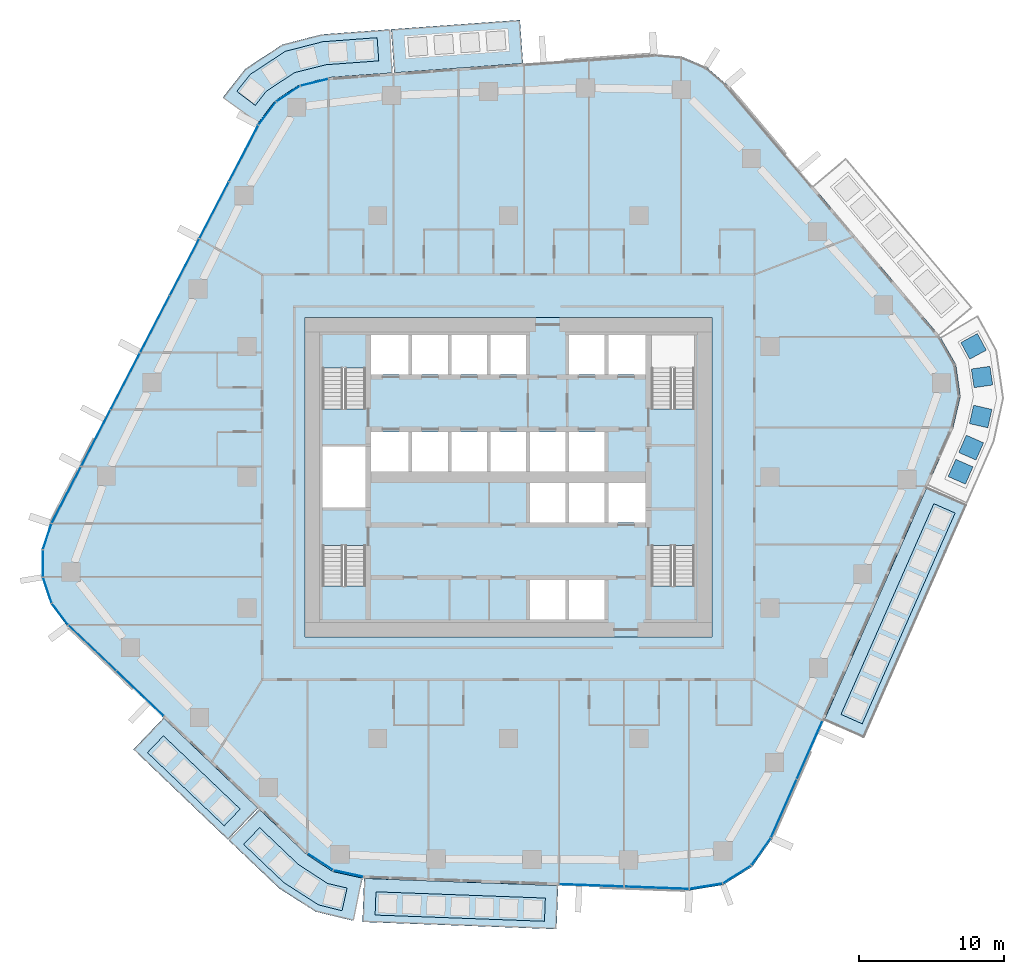
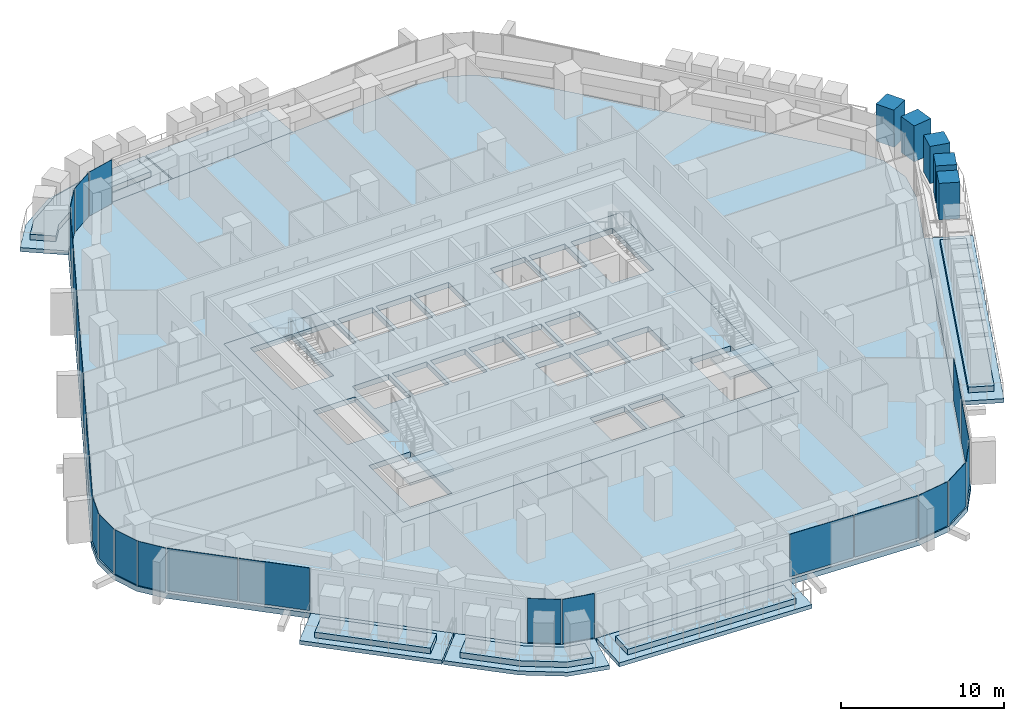
# One storey, part 10 of 24: 25 plates, 16 slabs, 5 members, 11 elements without a shape of their own.
"""IFC4 building model written with IfcOpenShell, lengths in metres."""

import ifcopenshell
import ifcopenshell.guid

model = None  # the IFC model being written
_history = None  # IfcOwnerHistory: only IFC2X3 demands one
_inside = {}  # id of a spatial element -> (the spatial element, [elements in it])
_under = {}  # id of a project, library or spatial element -> (it, [spatial elements below it])
_declared = {}  # id of a project -> (the project, [libraries it declares])
_typed = {}  # id of a type object -> (the type object, [elements of that type])
_made_of = {}  # id of a material, layer set ... -> (it, [elements and type objects made of it])


def new_model(schema):
    """Start an empty IFC model of exactly this schema.

    Asked for "IFC4X3", IfcOpenShell would pick the latest addendum, in which some entities
    have other attributes; the version numbers below select the first issue.
    IFC2X3 requires an IfcOwnerHistory on every rooted entity: one is made here for all.
    """
    global model, _history
    if schema == "IFC4X3":
        model = ifcopenshell.file(schema_version=(4, 3, 0, 0))
    else:
        model = ifcopenshell.file(schema=schema)
    _inside.clear()
    _under.clear()
    _declared.clear()
    _typed.clear()
    _made_of.clear()
    _history = None
    if model.schema == "IFC2X3":
        org = make("IfcOrganization", Name="unknown")
        user = make(
            "IfcPersonAndOrganization",
            ThePerson=make("IfcPerson", FamilyName="unknown"),
            TheOrganization=org,
        )
        app = make(
            "IfcApplication",
            ApplicationDeveloper=org,
            Version="unknown",
            ApplicationFullName="unknown",
            ApplicationIdentifier="unknown",
        )
        _history = make(
            "IfcOwnerHistory",
            OwningUser=user,
            OwningApplication=app,
            ChangeAction="ADDED",
            CreationDate=0,
        )
    return model


def make(cls, **values):
    """One entity of the class cls with the attributes given. An attribute that is None is left unset."""
    return model.create_entity(
        cls, **{name: value for name, value in values.items() if value is not None}
    )


def rooted(cls, **values):
    """An entity with a GlobalId (a new one), such as an element, a storey or a relation."""
    return make(cls, GlobalId=ifcopenshell.guid.new(), OwnerHistory=_history, **values)


def si_unit(unit_type, name, prefix=None):
    """IfcSIUnit, for example si_unit("LENGTHUNIT", "METRE", prefix="MILLI")."""
    return make("IfcSIUnit", UnitType=unit_type, Prefix=prefix, Name=name)


def assignment(units):
    """IfcUnitAssignment: the units of a project."""
    return None if units is None else make("IfcUnitAssignment", Units=units)


def point(xyz):
    """IfcCartesianPoint."""
    return None if xyz is None else make("IfcCartesianPoint", Coordinates=xyz)


def direction(xyz):
    """IfcDirection."""
    return None if xyz is None else make("IfcDirection", DirectionRatios=xyz)


def frame(location, z_axis=None, x_axis=None):
    """IfcAxis2Placement3D, a coordinate frame: its origin and axes. An axis left out is left unset."""
    return make(
        "IfcAxis2Placement3D",
        Location=point(location),
        Axis=direction(z_axis),
        RefDirection=direction(x_axis),
    )


def frame_2d(location, x_axis=None):
    """IfcAxis2Placement2D, a coordinate frame in the plane: its origin and x axis."""
    return make(
        "IfcAxis2Placement2D", Location=point(location), RefDirection=direction(x_axis)
    )


def origin():
    """The frame at (0, 0, 0) with its axes left unset."""
    return frame((0.0, 0.0, 0.0))


def origin_2d():
    """The frame at (0, 0) in the plane with its x axis left unset."""
    return frame_2d((0.0, 0.0))


def place(relative_to, where):
    """IfcLocalPlacement: puts the frame where relative to a parent placement (None: the world)."""
    return make(
        "IfcLocalPlacement", PlacementRelTo=relative_to, RelativePlacement=where
    )


def context(
    kind, dimensions, precision=None, world=None, true_north=None, identifier=None
):
    """IfcGeometricRepresentationContext, for example the 3D "Model" context."""
    return make(
        "IfcGeometricRepresentationContext",
        ContextIdentifier=identifier,
        ContextType=kind,
        CoordinateSpaceDimension=dimensions,
        Precision=precision,
        WorldCoordinateSystem=world,
        TrueNorth=true_north,
    )


def subcontext(parent, identifier, kind, view, scale=None):
    """IfcGeometricRepresentationSubContext, for example "Body" below "Model"."""
    return make(
        "IfcGeometricRepresentationSubContext",
        ContextIdentifier=identifier,
        ContextType=kind,
        ParentContext=parent,
        TargetScale=scale,
        TargetView=view,
    )


def project(units=None, contexts=None):
    """IfcProject with its units and contexts."""
    return rooted(
        "IfcProject",
        Name="project",
        RepresentationContexts=contexts,
        UnitsInContext=assignment(units),
    )


def spatial(cls, under=None, at=None, **own):
    """A site, building, storey or space (cls), placed at a placement, below another one or the project."""
    s = rooted(cls, ObjectPlacement=at, **own)
    if under is not None:
        _under.setdefault(under.id(), (under, []))[1].append(s)
    return s


def polyline(points):
    """IfcPolyline through the points."""
    return make("IfcPolyline", Points=[point(p) for p in points])


def profile(cls, at=None, kind="AREA", **sizes):
    """A parametric profile (cls). Its sizes go by their IFC names, for example OverallWidth=200.0."""
    return make(cls, ProfileType=kind, Position=at, **sizes)


def rectangle(**sizes):
    """IfcRectangleProfileDef."""
    return profile("IfcRectangleProfileDef", **sizes)


def outline(outer, holes=None, kind="AREA"):
    """IfcArbitraryClosedProfileDef: a profile drawn as a closed curve; with holes, ...WithVoids."""
    if holes is None:
        return make("IfcArbitraryClosedProfileDef", ProfileType=kind, OuterCurve=outer)
    return make(
        "IfcArbitraryProfileDefWithVoids",
        ProfileType=kind,
        OuterCurve=outer,
        InnerCurves=holes,
    )


def extrude(swept, where, along, depth):
    """IfcExtrudedAreaSolid: the profile swept, set in the frame where, extruded along a direction by depth."""
    return make(
        "IfcExtrudedAreaSolid",
        SweptArea=swept,
        Position=where,
        ExtrudedDirection=direction(along),
        Depth=depth,
    )


def shape(context_of_items, identifier, shape_type, items):
    """IfcShapeRepresentation: the items that make up one representation, for example the "Body"."""
    return make(
        "IfcShapeRepresentation",
        ContextOfItems=context_of_items,
        RepresentationIdentifier=identifier,
        RepresentationType=shape_type,
        Items=items,
    )


def material(Name=None, Category=None):
    """IfcMaterial."""
    return make("IfcMaterial", Name=Name, Category=Category)


def layer(
    of_material, thickness, ventilated=None, Name=None, Category=None, Priority=None
):
    """IfcMaterialLayer: one layer of a wall or slab, of a material (None: an air gap)."""
    return make(
        "IfcMaterialLayer",
        Material=of_material,
        LayerThickness=thickness,
        IsVentilated=ventilated,
        Name=Name,
        Category=Category,
        Priority=Priority,
    )


def layer_set(layers, Name=None):
    """IfcMaterialLayerSet."""
    return make("IfcMaterialLayerSet", MaterialLayers=layers, LayerSetName=Name)


def material_profile(
    of_material, cross_section, Name=None, Category=None, Priority=None
):
    """IfcMaterialProfile: a cross section and its material."""
    return make(
        "IfcMaterialProfile",
        Name=Name,
        Material=of_material,
        Profile=cross_section,
        Priority=Priority,
        Category=Category,
    )


def profile_set(profiles, Name=None, composite=None):
    """IfcMaterialProfileSet."""
    return make(
        "IfcMaterialProfileSet",
        Name=Name,
        MaterialProfiles=profiles,
        CompositeProfile=composite,
    )


def made_of(thing, what):
    """Note that an element or type object is made of a material, layer set ...; save() writes the relation."""
    if what is not None:
        _made_of.setdefault(what.id(), (what, []))[1].append(thing)
    return thing


def type_object(cls, material=None, **own):
    """A type object (cls), such as IfcWallType, which elements share."""
    return made_of(rooted(cls, **own), material)


def element(
    cls,
    number,
    at=None,
    inside=None,
    cuts=None,
    type_object=None,
    material=None,
    context=None,
    identifier="Body",
    shape_type=None,
    held_by="IfcProductDefinitionShape",
    body=None,
    shapes=None,
    **own,
):
    """One element of the class cls, such as IfcWall. Its Tag is "e" and its number.

    at: its placement. inside: the storey or other place that contains it. cuts: it is an
    opening in that element (IfcRelVoidsElement). A single representation is given by context,
    identifier, shape_type and body (its items); several are given by shapes. held_by: the class
    of the entity that holds the representations. save() writes the other relations.
    """
    e = rooted(cls, Tag="e%d" % number, ObjectPlacement=at, **own)
    if body is not None:
        shapes = [shape(context, identifier, shape_type, body)]
    if shapes is not None:
        e.Representation = make(held_by, Representations=shapes)
    if inside is not None:
        _inside.setdefault(inside.id(), (inside, []))[1].append(e)
    if cuts is not None:
        rooted(
            "IfcRelVoidsElement", RelatingBuildingElement=cuts, RelatedOpeningElement=e
        )
    if type_object is not None:
        _typed.setdefault(type_object.id(), (type_object, []))[1].append(e)
    return made_of(e, material)


def aggregate(whole, parts):
    """IfcRelAggregates: a whole, such as a stair, and the parts it consists of."""
    return rooted("IfcRelAggregates", RelatingObject=whole, RelatedObjects=parts)


def save(model, path):
    """Write the relations noted so far, then the file.

    IfcRelAggregates (storeys below a building ...), IfcRelContainedInSpatialStructure (elements
    in a storey), IfcRelDefinesByType, IfcRelAssociatesMaterial and IfcRelDeclares: one each for
    every whole, place, type object, material and project.
    """
    for whole, parts in _under.values():
        aggregate(whole, parts)
    for where, things in _inside.values():
        rooted(
            "IfcRelContainedInSpatialStructure",
            RelatedElements=things,
            RelatingStructure=where,
        )
    for kind, things in _typed.values():
        rooted("IfcRelDefinesByType", RelatedObjects=things, RelatingType=kind)
    for what, things in _made_of.values():
        rooted("IfcRelAssociatesMaterial", RelatedObjects=things, RelatingMaterial=what)
    for by, libraries in _declared.values():
        rooted("IfcRelDeclares", RelatingContext=by, RelatedDefinitions=libraries)
    model.write(path)


model = new_model("IFC4")

# Units and contexts
model_context = context("Model", 3, precision=1e-05, world=origin(), true_north=direction((0.0, 1.0)))
body_context = subcontext(model_context, "Body", "Model", "MODEL_VIEW")
ifc_project = project(units=[si_unit("LENGTHUNIT", "METRE"), si_unit("AREAUNIT", "SQUARE_METRE"), si_unit("VOLUMEUNIT", "CUBIC_METRE"), si_unit("PLANEANGLEUNIT", "RADIAN"), si_unit("MASSUNIT", "GRAM", prefix="KILO")], contexts=[model_context])

# Site, building, storey
site_placement = place(None, origin())
site = spatial("IfcSite", under=ifc_project, at=site_placement, CompositionType="ELEMENT")
building_placement = place(site_placement, origin())
building = spatial("IfcBuilding", under=site, at=building_placement, Name="Dongbaek Canopy Tower", CompositionType="ELEMENT")
storey_placement = place(building_placement, frame((0.0, 0.0, 110.0)))
storey = spatial("IfcBuildingStorey", under=building, at=storey_placement, Name="L23", CompositionType="ELEMENT", Elevation=110.0)

# Members
ifc_material_1 = material(Name="Concrete C40/50 planter mass with planting", Category="concrete")
ifc_material_profile = material_profile(ifc_material_1, rectangle(XDim=1.300048828125, YDim=1.300048828125, at=origin_2d()), Name="Terrace PLANTER shrub mass 1300 x 1300")
ifc_profile_set = profile_set([ifc_material_profile], Name="Concrete C40/50 planter mass with planting")
member_type = type_object("IfcMemberType", Name="Terrace PLANTER shrub mass 1300 x 1300", PredefinedType="USERDEFINED", material=ifc_profile_set)
member_1_placement = place(storey_placement, frame((31.132080078125, 0.374755859375, 0.419921875), z_axis=(0.0, 0.0, 1.0), x_axis=(0.915886374984, -0.401437601775, 0.0)))
element("IfcMember", 1, at=member_1_placement, inside=storey, type_object=member_type, Name="Planter shrubs L23 6.1", ObjectType="PLANTER", PredefinedType="USERDEFINED", context=body_context, shape_type="SweptSolid", body=[
    extrude(rectangle(XDim=1.300048828125, YDim=1.300048828125, at=origin_2d()), origin(), (0.0, 0.0, 1.0), 2.72998046875),
])
member_2_placement = place(storey_placement, frame((31.85888671875, 2.033203125, 0.419921875), z_axis=(0.0, 0.0, 1.0), x_axis=(0.915886374984, -0.401437601775, 0.0)))
element("IfcMember", 2, at=member_2_placement, inside=storey, type_object=member_type, Name="Planter shrubs L23 6.2", ObjectType="PLANTER", PredefinedType="USERDEFINED", context=body_context, shape_type="SweptSolid", body=[
    extrude(rectangle(XDim=1.300048828125, YDim=1.300048828125, at=origin_2d()), origin(), (0.0, 0.0, 1.0), 2.780029296875),
])
member_3_placement = place(storey_placement, frame((32.51708984375, 4.17578125, 0.419921875), z_axis=(0.0, 0.0, 1.0), x_axis=(0.975740218309, -0.21893155637, 0.0)))
element("IfcMember", 3, at=member_3_placement, inside=storey, type_object=member_type, Name="Planter shrubs L23 6.3", ObjectType="PLANTER", PredefinedType="USERDEFINED", context=body_context, shape_type="SweptSolid", body=[
    extrude(rectangle(XDim=1.300048828125, YDim=1.300048828125, at=origin_2d()), origin(), (0.0, 0.0, 1.0), 2.77001953125),
])
member_4_placement = place(storey_placement, frame((32.60791015625, 6.898681640625, 0.419921875), z_axis=(0.0, 0.0, 1.0), x_axis=(0.989700206201, 0.143155516293, 0.0)))
element("IfcMember", 4, at=member_4_placement, inside=storey, type_object=member_type, Name="Planter shrubs L23 6.4", ObjectType="PLANTER", PredefinedType="USERDEFINED", context=body_context, shape_type="SweptSolid", body=[
    extrude(rectangle(XDim=1.300048828125, YDim=1.300048828125, at=origin_2d()), origin(), (0.0, 0.0, 1.0), 2.690185546875),
])
member_5_placement = place(storey_placement, frame((32.025634765625, 9.004638671875, 0.419921875), z_axis=(0.0, 0.0, 1.0), x_axis=(0.878675212962, 0.477420014375, 0.0)))
element("IfcMember", 5, at=member_5_placement, inside=storey, type_object=member_type, Name="Planter shrubs L23 6.5", ObjectType="PLANTER", PredefinedType="USERDEFINED", context=body_context, shape_type="SweptSolid", body=[
    extrude(rectangle(XDim=1.300048828125, YDim=1.300048828125, at=origin_2d()), origin(), (0.0, 0.0, 1.0), 2.780029296875),
])

# Slabs
ifc_material_2 = material(Name="Concrete C40/50", Category="concrete")
ifc_layer_1 = layer(ifc_material_2, 0.300048828125)
ifc_layer_set_1 = layer_set([ifc_layer_1], Name="Balcony slab 300")
slab_type_1 = type_object("IfcSlabType", Name="Balcony slab 300", PredefinedType="FLOOR", material=ifc_layer_set_1)
slab_1_placement = place(storey_placement, frame((0.0, 0.0, -0.300048828125)))
element("IfcSlab", 6, at=slab_1_placement, inside=storey, type_object=slab_type_1, Name="Balcony L23 2", PredefinedType="FLOOR", context=body_context, shape_type="SweptSolid", body=[
    extrude(outline(polyline([(1.005859375, 28.485107421875), (-7.866455078125, 27.846923828125), (-8.081787109375, 30.839111328125), (0.790771484375, 31.477294921875), (1.005859375, 28.485107421875)])), origin(), (0.0, 0.0, 1.0), 0.300048828125),
])
slab_2_placement = place(storey_placement, frame((0.0, 0.0, -0.300048828125)))
element("IfcSlab", 7, at=slab_2_placement, inside=storey, type_object=slab_type_1, Name="Balcony L23 7", PredefinedType="FLOOR", context=body_context, shape_type="SweptSolid", body=[
    extrude(outline(polyline([(-7.96630859375, 27.839599609375), (-12.402587890625, 27.5205078125), (-14.37353515625, 27.034423828125), (-16.06982421875, 25.918701171875), (-17.2666015625, 24.341064453125), (-19.65673828125, 26.154296875), (-18.11865234375, 28.110107421875), (-15.574462890625, 29.78369140625), (-12.870849609375, 30.48388671875), (-8.181396484375, 30.83203125), (-7.96630859375, 27.839599609375)])), origin(), (0.0, 0.0, 1.0), 0.300048828125),
])
slab_3_placement = place(storey_placement, frame((0.0, 0.0, -0.300048828125)))
element("IfcSlab", 8, at=slab_3_placement, inside=storey, type_object=slab_type_1, Name="Balcony L23 3", PredefinedType="FLOOR", context=body_context, shape_type="SweptSolid", body=[
    extrude(outline(polyline([(-23.7509765625, -16.577392578125), (-17.238525390625, -22.794189453125), (-19.309814453125, -24.964111328125), (-25.822509765625, -18.74755859375), (-23.7509765625, -16.577392578125)])), origin(), (0.0, 0.0, 1.0), 0.300048828125),
])
slab_4_placement = place(storey_placement, frame((0.0, 0.0, -0.300048828125)))
element("IfcSlab", 9, at=slab_4_placement, inside=storey, type_object=slab_type_1, Name="Balcony L23 8", PredefinedType="FLOOR", context=body_context, shape_type="SweptSolid", body=[
    extrude(outline(polyline([(-17.166015625, -22.86328125), (-13.909912109375, -25.971435546875), (-12.100830078125, -27.158935546875), (-10.036865234375, -27.616455078125), (-10.686279296875, -30.54541015625), (-13.267578125, -29.922607421875), (-15.7763671875, -28.320068359375), (-19.237548828125, -25.033203125), (-17.166015625, -22.86328125)])), origin(), (0.0, 0.0, 1.0), 0.300048828125),
])
slab_5_placement = place(storey_placement, frame((0.0, 0.0, -0.300048828125)))
element("IfcSlab", 10, at=slab_5_placement, inside=storey, type_object=slab_type_1, Name="Balcony L23 4", PredefinedType="FLOOR", context=body_context, shape_type="SweptSolid", body=[
    extrude(outline(polyline([(-9.938232421875, -27.629150390625), (3.42236328125, -28.1220703125), (3.311767578125, -31.1201171875), (-10.048828125, -30.627197265625), (-9.938232421875, -27.629150390625)])), origin(), (0.0, 0.0, 1.0), 0.300048828125),
])
slab_6_placement = place(storey_placement, frame((0.0, 0.0, -0.300048828125)))
element("IfcSlab", 11, at=slab_6_placement, inside=storey, type_object=slab_type_1, Name="Balcony L23 5", PredefinedType="FLOOR", context=body_context, shape_type="SweptSolid", body=[
    extrude(outline(polyline([(21.73828125, -16.75439453125), (28.81884765625, -0.68798828125), (31.56396484375, -1.89794921875), (24.4833984375, -17.964111328125), (21.73828125, -16.75439453125)])), origin(), (0.0, 0.0, 1.0), 0.300048828125),
])

# Curtain wall, plates
ifc_material_3 = material(Name="Aluminium 6063-T6 pale anodised", Category="aluminium")
ifc_layer_2 = layer(ifc_material_3, 0.199951171875)
ifc_layer_set_2 = layer_set([ifc_layer_2], Name="CW-1 unitised tower curtain wall")
curtain_wall_type = type_object("IfcCurtainWallType", Name="CW-1 unitised tower curtain wall", PredefinedType="NOTDEFINED", material=ifc_layer_set_2)
curtain_wall_1_placement = place(storey_placement, origin())
curtain_wall_1 = element("IfcCurtainWall", 12, at=curtain_wall_1_placement, inside=storey, type_object=curtain_wall_type, Name="CW-1 curtain wall K2.1", PredefinedType="NOTDEFINED")
ifc_material_4 = material(Name="Clear laminated glass", Category="glass")
ifc_layer_3 = layer(ifc_material_4, 0.028076171875)
ifc_layer_set_3 = layer_set([ifc_layer_3], Name="CW-1 glazed panel 28")
plate_type = type_object("IfcPlateType", Name="CW-1 glazed panel 28", PredefinedType="CURTAIN_PANEL", material=ifc_layer_set_3)
plate_1_placement = place(storey_placement, frame((-13.35986328125, 27.181396484375, 0.0), z_axis=(0.0, 0.0, 1.0), x_axis=(-0.970907238878, -0.239455911379, 0.0)))
plate_1 = element("IfcPlate", 13, at=plate_1_placement, type_object=plate_type, Name="CW-1 panel K2.1.1.1", PredefinedType="CURTAIN_PANEL", context=body_context, shape_type="SweptSolid", body=[
    extrude(rectangle(XDim=1.92041015625, YDim=0.028076171875, at=origin_2d()), origin(), (0.0, 0.0, 1.0), 3.300048828125),
])
plate_2_placement = place(storey_placement, frame((-15.166748046875, 26.39306640625, 0.0), z_axis=(0.0, 0.0, 1.0), x_axis=(-0.835470843501, -0.54953477566, 0.0)))
plate_2 = element("IfcPlate", 14, at=plate_2_placement, type_object=plate_type, Name="CW-1 panel K2.1.2.1", PredefinedType="CURTAIN_PANEL", context=body_context, shape_type="SweptSolid", body=[
    extrude(rectangle(XDim=1.911865234375, YDim=0.028076171875, at=origin_2d()), origin(), (0.0, 0.0, 1.0), 3.300048828125),
])
plate_3_placement = place(storey_placement, frame((-16.606201171875, 25.046142578125, 0.0), z_axis=(0.0, 0.0, 1.0), x_axis=(-0.60437978776, -0.796696348772, 0.0)))
plate_3 = element("IfcPlate", 15, at=plate_3_placement, type_object=plate_type, Name="CW-1 panel K2.1.3.1", PredefinedType="CURTAIN_PANEL", context=body_context, shape_type="SweptSolid", body=[
    extrude(rectangle(XDim=1.92041015625, YDim=0.028076171875, at=origin_2d()), origin(), (0.0, 0.0, 1.0), 3.300048828125),
])
aggregate(curtain_wall_1, [plate_1, plate_2, plate_3])

curtain_wall_2_placement = place(storey_placement, origin())
curtain_wall_2 = element("IfcCurtainWall", 16, at=curtain_wall_2_placement, inside=storey, type_object=curtain_wall_type, Name="CW-1 curtain wall F2.1", PredefinedType="NOTDEFINED")
plate_4_placement = place(storey_placement, frame((-18.228271484375, 22.29052734375, 0.1201171875), z_axis=(0.0, 0.0, 1.0), x_axis=(-0.460879720641, -0.887462609411, 0.0)))
plate_4 = element("IfcPlate", 17, at=plate_4_placement, type_object=plate_type, Name="CW-1 panel F2.1.1.1", PredefinedType="CURTAIN_PANEL", context=body_context, shape_type="SweptSolid", body=[
    extrude(rectangle(XDim=4.32666015625, YDim=0.028076171875, at=origin_2d()), origin(), (0.0, 0.0, 1.0), 3.179931640625),
])
plate_5_placement = place(storey_placement, frame((-20.26318359375, 18.372314453125, 0.1201171875), z_axis=(0.0, 0.0, 1.0), x_axis=(-0.460879720641, -0.887462609411, 0.0)))
plate_5 = element("IfcPlate", 18, at=plate_5_placement, type_object=plate_type, Name="CW-1 panel F2.1.2.1", PredefinedType="CURTAIN_PANEL", context=body_context, shape_type="SweptSolid", body=[
    extrude(rectangle(XDim=4.335205078125, YDim=0.028076171875, at=origin_2d()), origin(), (0.0, 0.0, 1.0), 3.179931640625),
])
plate_6_placement = place(storey_placement, frame((-22.2998046875, 14.450439453125, 0.1201171875), z_axis=(0.0, 0.0, 1.0), x_axis=(-0.460879720641, -0.887462609411, 0.0)))
plate_6 = element("IfcPlate", 19, at=plate_6_placement, type_object=plate_type, Name="CW-1 panel F2.1.3.1", PredefinedType="CURTAIN_PANEL", context=body_context, shape_type="SweptSolid", body=[
    extrude(rectangle(XDim=4.335205078125, YDim=0.028076171875, at=origin_2d()), origin(), (0.0, 0.0, 1.0), 3.179931640625),
])
plate_7_placement = place(storey_placement, frame((-24.336669921875, 10.528564453125, 0.1201171875), z_axis=(0.0, 0.0, 1.0), x_axis=(-0.460879720641, -0.887462609411, 0.0)))
plate_7 = element("IfcPlate", 20, at=plate_7_placement, type_object=plate_type, Name="CW-1 panel F2.1.4.1", PredefinedType="CURTAIN_PANEL", context=body_context, shape_type="SweptSolid", body=[
    extrude(rectangle(XDim=4.335205078125, YDim=0.028076171875, at=origin_2d()), origin(), (0.0, 0.0, 1.0), 3.179931640625),
])
plate_8_placement = place(storey_placement, frame((-26.373291015625, 6.606689453125, 0.1201171875), z_axis=(0.0, 0.0, 1.0), x_axis=(-0.460879720641, -0.887462609411, 0.0)))
plate_8 = element("IfcPlate", 21, at=plate_8_placement, type_object=plate_type, Name="CW-1 panel F2.1.5.1", PredefinedType="CURTAIN_PANEL", context=body_context, shape_type="SweptSolid", body=[
    extrude(rectangle(XDim=4.335205078125, YDim=0.028076171875, at=origin_2d()), origin(), (0.0, 0.0, 1.0), 3.179931640625),
])
plate_9_placement = place(storey_placement, frame((-28.41015625, 2.684814453125, 0.1201171875), z_axis=(0.0, 0.0, 1.0), x_axis=(-0.460879720641, -0.887462609411, 0.0)))
plate_9 = element("IfcPlate", 22, at=plate_9_placement, type_object=plate_type, Name="CW-1 panel F2.1.6.1", PredefinedType="CURTAIN_PANEL", context=body_context, shape_type="SweptSolid", body=[
    extrude(rectangle(XDim=4.335205078125, YDim=0.028076171875, at=origin_2d()), origin(), (0.0, 0.0, 1.0), 3.179931640625),
])
plate_10_placement = place(storey_placement, frame((-30.44482421875, -1.2333984375, 0.1201171875), z_axis=(0.0, 0.0, 1.0), x_axis=(-0.460879720641, -0.887462609411, 0.0)))
plate_10 = element("IfcPlate", 23, at=plate_10_placement, type_object=plate_type, Name="CW-1 panel F2.1.7.1", PredefinedType="CURTAIN_PANEL", context=body_context, shape_type="SweptSolid", body=[
    extrude(rectangle(XDim=4.3271484375, YDim=0.028076171875, at=origin_2d()), origin(), (0.0, 0.0, 1.0), 3.179931640625),
])
aggregate(curtain_wall_2, [plate_4, plate_5, plate_6, plate_7, plate_8, plate_9, plate_10])

curtain_wall_3_placement = place(storey_placement, origin())
curtain_wall_3 = element("IfcCurtainWall", 24, at=curtain_wall_3_placement, inside=storey, type_object=curtain_wall_type, Name="CW-1 curtain wall K3.1", PredefinedType="NOTDEFINED")
plate_11_placement = place(storey_placement, frame((-31.75830078125, -4.0927734375, 0.0), z_axis=(0.0, 0.0, 1.0), x_axis=(-0.31269869536, -0.949852370593, 0.0)))
plate_11 = element("IfcPlate", 25, at=plate_11_placement, type_object=plate_type, Name="CW-1 panel K3.1.1.1", PredefinedType="CURTAIN_PANEL", context=body_context, shape_type="SweptSolid", body=[
    extrude(rectangle(XDim=1.814697265625, YDim=0.028076171875, at=origin_2d()), origin(), (0.0, 0.0, 1.0), 3.300048828125),
])
plate_12_placement = place(storey_placement, frame((-32.051513671875, -5.939697265625, 0.0), z_axis=(0.0, 0.0, 1.0), x_axis=(0.003873783475, -0.999992496873, 0.0)))
plate_12 = element("IfcPlate", 26, at=plate_12_placement, type_object=plate_type, Name="CW-1 panel K3.1.2.1", PredefinedType="CURTAIN_PANEL", context=body_context, shape_type="SweptSolid", body=[
    extrude(rectangle(XDim=1.806640625, YDim=0.028076171875, at=origin_2d()), origin(), (0.0, 0.0, 1.0), 3.300048828125),
])
plate_13_placement = place(storey_placement, frame((-31.745361328125, -7.78076171875, 0.0), z_axis=(0.0, 0.0, 1.0), x_axis=(0.320048300125, -0.947401227352, 0.0)))
plate_13 = element("IfcPlate", 27, at=plate_13_placement, type_object=plate_type, Name="CW-1 panel K3.1.3.1", PredefinedType="CURTAIN_PANEL", context=body_context, shape_type="SweptSolid", body=[
    extrude(rectangle(XDim=1.806640625, YDim=0.028076171875, at=origin_2d()), origin(), (0.0, 0.0, 1.0), 3.300048828125),
])
plate_14_placement = place(storey_placement, frame((-30.869873046875, -9.433349609375, 0.0), z_axis=(0.0, 0.0, 1.0), x_axis=(0.603343561483, -0.797481377097, 0.0)))
plate_14 = element("IfcPlate", 28, at=plate_14_placement, type_object=plate_type, Name="CW-1 panel K3.1.4.1", PredefinedType="CURTAIN_PANEL", context=body_context, shape_type="SweptSolid", body=[
    extrude(rectangle(XDim=1.814697265625, YDim=0.028076171875, at=origin_2d()), origin(), (0.0, 0.0, 1.0), 3.300048828125),
])
aggregate(curtain_wall_3, [plate_11, plate_12, plate_13, plate_14])

curtain_wall_4_placement = place(storey_placement, origin())
curtain_wall_4 = element("IfcCurtainWall", 29, at=curtain_wall_4_placement, inside=storey, type_object=curtain_wall_type, Name="CW-1 curtain wall F3.1", PredefinedType="NOTDEFINED")
plate_15_placement = place(storey_placement, frame((-28.65380859375, -11.75927734375, 0.1201171875), z_axis=(0.0, 0.0, 1.0), x_axis=(0.723349119541, -0.690482477156, 0.0)))
plate_15 = element("IfcPlate", 30, at=plate_15_placement, type_object=plate_type, Name="CW-1 panel F3.1.1.1", PredefinedType="CURTAIN_PANEL", context=body_context, shape_type="SweptSolid", body=[
    extrude(rectangle(XDim=4.459716796875, YDim=0.028076171875, at=origin_2d()), origin(), (0.0, 0.0, 1.0), 3.179931640625),
])
plate_16_placement = place(storey_placement, frame((-25.3642578125, -14.899169921875, 0.1201171875), z_axis=(0.0, 0.0, 1.0), x_axis=(0.723349119541, -0.690482477156, 0.0)))
plate_16 = element("IfcPlate", 31, at=plate_16_placement, type_object=plate_type, Name="CW-1 panel F3.1.2.1", PredefinedType="CURTAIN_PANEL", context=body_context, shape_type="SweptSolid", body=[
    extrude(rectangle(XDim=4.4677734375, YDim=0.028076171875, at=origin_2d()), origin(), (0.0, 0.0, 1.0), 3.179931640625),
])
aggregate(curtain_wall_4, [plate_15, plate_16])

curtain_wall_5_placement = place(storey_placement, origin())
curtain_wall_5 = element("IfcCurtainWall", 32, at=curtain_wall_5_placement, inside=storey, type_object=curtain_wall_type, Name="CW-1 curtain wall K4.1", PredefinedType="NOTDEFINED")
plate_17_placement = place(storey_placement, frame((-12.954345703125, -26.47900390625, 0.0), z_axis=(0.0, 0.0, 1.0), x_axis=(0.836003585716, -0.548723978581, 0.0)))
plate_17 = element("IfcPlate", 33, at=plate_17_placement, type_object=plate_type, Name="CW-1 panel K4.1.1.1", PredefinedType="CURTAIN_PANEL", context=body_context, shape_type="SweptSolid", body=[
    extrude(rectangle(XDim=2.052490234375, YDim=0.028076171875, at=origin_2d()), origin(), (0.0, 0.0, 1.0), 3.300048828125),
])
plate_18_placement = place(storey_placement, frame((-11.018310546875, -27.29638671875, 0.0), z_axis=(0.0, 0.0, 1.0), x_axis=(0.976288741887, -0.216472382683, 0.0)))
plate_18 = element("IfcPlate", 34, at=plate_18_placement, type_object=plate_type, Name="CW-1 panel K4.1.2.1", PredefinedType="CURTAIN_PANEL", context=body_context, shape_type="SweptSolid", body=[
    extrude(rectangle(XDim=2.052490234375, YDim=0.028076171875, at=origin_2d()), origin(), (0.0, 0.0, 1.0), 3.300048828125),
])
aggregate(curtain_wall_5, [plate_17, plate_18])

curtain_wall_6_placement = place(storey_placement, origin())
curtain_wall_6 = element("IfcCurtainWall", 35, at=curtain_wall_6_placement, inside=storey, type_object=curtain_wall_type, Name="CW-1 curtain wall F4.1", PredefinedType="NOTDEFINED")
plate_19_placement = place(storey_placement, frame((5.71923828125, -28.10693359375, 0.1201171875), z_axis=(0.0, 0.0, 1.0), x_axis=(0.99931997253, -0.036872652499, 0.0)))
plate_19 = element("IfcPlate", 36, at=plate_19_placement, type_object=plate_type, Name="CW-1 panel F4.1.1.1", PredefinedType="CURTAIN_PANEL", context=body_context, shape_type="SweptSolid", body=[
    extrude(rectangle(XDim=4.40576171875, YDim=0.028076171875, at=origin_2d()), origin(), (0.0, 0.0, 1.0), 3.179931640625),
])
plate_20_placement = place(storey_placement, frame((10.201171875, -28.272216796875, 0.1201171875), z_axis=(0.0, 0.0, 1.0), x_axis=(0.99931997253, -0.036872652499, 0.0)))
plate_20 = element("IfcPlate", 37, at=plate_20_placement, type_object=plate_type, Name="CW-1 panel F4.1.2.1", PredefinedType="CURTAIN_PANEL", context=body_context, shape_type="SweptSolid", body=[
    extrude(rectangle(XDim=4.39599609375, YDim=0.028076171875, at=origin_2d()), origin(), (0.0, 0.0, 1.0), 3.179931640625),
])
aggregate(curtain_wall_6, [plate_19, plate_20])

curtain_wall_7_placement = place(storey_placement, origin())
curtain_wall_7 = element("IfcCurtainWall", 38, at=curtain_wall_7_placement, inside=storey, type_object=curtain_wall_type, Name="CW-1 curtain wall K5.1", PredefinedType="NOTDEFINED")
plate_21_placement = place(storey_placement, frame((13.593994140625, -28.166259765625, 0.0), z_axis=(0.0, 0.0, 1.0), x_axis=(0.986925933455, 0.161174445476, 0.0)))
plate_21 = element("IfcPlate", 39, at=plate_21_placement, type_object=plate_type, Name="CW-1 panel K5.1.1.1", PredefinedType="CURTAIN_PANEL", context=body_context, shape_type="SweptSolid", body=[
    extrude(rectangle(XDim=2.25537109375, YDim=0.028076171875, at=origin_2d()), origin(), (0.0, 0.0, 1.0), 3.300048828125),
])
plate_22_placement = place(storey_placement, frame((15.7353515625, -27.359619140625, 0.0), z_axis=(0.0, 0.0, 1.0), x_axis=(0.847571733396, 0.530680842642, 0.0)))
plate_22 = element("IfcPlate", 40, at=plate_22_placement, type_object=plate_type, Name="CW-1 panel K5.1.2.1", PredefinedType="CURTAIN_PANEL", context=body_context, shape_type="SweptSolid", body=[
    extrude(rectangle(XDim=2.2451171875, YDim=0.028076171875, at=origin_2d()), origin(), (0.0, 0.0, 1.0), 3.300048828125),
])
plate_23_placement = place(storey_placement, frame((17.396240234375, -25.78564453125, 0.0), z_axis=(0.0, 0.0, 1.0), x_axis=(0.576034847572, 0.817425136867, 0.0)))
plate_23 = element("IfcPlate", 41, at=plate_23_placement, type_object=plate_type, Name="CW-1 panel K5.1.3.1", PredefinedType="CURTAIN_PANEL", context=body_context, shape_type="SweptSolid", body=[
    extrude(rectangle(XDim=2.25537109375, YDim=0.028076171875, at=origin_2d()), origin(), (0.0, 0.0, 1.0), 3.300048828125),
])
aggregate(curtain_wall_7, [plate_21, plate_22, plate_23])

curtain_wall_8_placement = place(storey_placement, origin())
curtain_wall_8 = element("IfcCurtainWall", 42, at=curtain_wall_8_placement, inside=storey, type_object=curtain_wall_type, Name="CW-1 curtain wall F5.1", PredefinedType="NOTDEFINED")
plate_24_placement = place(storey_placement, frame((18.958251953125, -22.814208984375, 0.1201171875), z_axis=(0.0, 0.0, 1.0), x_axis=(0.403288773867, 0.915072764797, 0.0)))
plate_24 = element("IfcPlate", 43, at=plate_24_placement, type_object=plate_type, Name="CW-1 panel F5.1.1.1", PredefinedType="CURTAIN_PANEL", context=body_context, shape_type="SweptSolid", body=[
    extrude(rectangle(XDim=4.3203125, YDim=0.028076171875, at=origin_2d()), origin(), (0.0, 0.0, 1.0), 3.179931640625),
])
plate_25_placement = place(storey_placement, frame((20.736328125, -18.779541015625, 0.1201171875), z_axis=(0.0, 0.0, 1.0), x_axis=(0.403288773867, 0.915072764797, 0.0)))
plate_25 = element("IfcPlate", 44, at=plate_25_placement, type_object=plate_type, Name="CW-1 panel F5.1.2.1", PredefinedType="CURTAIN_PANEL", context=body_context, shape_type="SweptSolid", body=[
    extrude(rectangle(XDim=4.330322265625, YDim=0.028076171875, at=origin_2d()), origin(), (0.0, 0.0, 1.0), 3.179931640625),
])
aggregate(curtain_wall_8, [plate_24, plate_25])

# Slab
ifc_material_5 = material(Name="Concrete C40/50", Category="concrete")
ifc_layer_4 = layer(ifc_material_5, 0.39990234375)
ifc_layer_set_4 = layer_set([ifc_layer_4], Name="Core floor slab 400 Concrete C40/50")
slab_type_2 = type_object("IfcSlabType", Name="Core floor slab 400 Concrete C40/50", PredefinedType="FLOOR", material=ifc_layer_set_4)
slab_7_placement = place(storey_placement, frame((0.0, 0.0, -0.39990234375)))
element("IfcSlab", 45, at=slab_7_placement, inside=storey, type_object=slab_type_2, Name="Core floor slab L23", PredefinedType="FLOOR", context=body_context, shape_type="SweptSolid", body=[
    extrude(outline(polyline([(14.0, -11.0), (14.0, 11.0), (-14.0, 11.0), (-14.0, -11.0), (14.0, -11.0)]), holes=[polyline([(-12.800048828125, 2.10009765625), (-9.85009765625, 2.10009765625), (-9.85009765625, -2.10009765625), (-12.800048828125, -2.10009765625), (-12.800048828125, 2.10009765625)]), polyline([(-6.875, 9.800048828125), (-6.875, 7.074951171875), (-9.449951171875, 7.074951171875), (-9.449951171875, 9.800048828125), (-6.875, 9.800048828125)]), polyline([(-4.175048828125, 9.800048828125), (-4.175048828125, 7.074951171875), (-6.625, 7.074951171875), (-6.625, 9.800048828125), (-4.175048828125, 9.800048828125)]), polyline([(-1.47509765625, 9.800048828125), (-1.47509765625, 7.074951171875), (-3.925048828125, 7.074951171875), (-3.925048828125, 9.800048828125), (-1.47509765625, 9.800048828125)]), polyline([(1.22509765625, 9.800048828125), (1.22509765625, 7.074951171875), (-1.22509765625, 7.074951171875), (-1.22509765625, 9.800048828125), (1.22509765625, 9.800048828125)]), polyline([(6.625, 9.800048828125), (6.625, 7.074951171875), (4.175048828125, 7.074951171875), (4.175048828125, 9.800048828125), (6.625, 9.800048828125)]), polyline([(9.449951171875, 7.074951171875), (6.875, 7.074951171875), (6.875, 9.800048828125), (9.449951171875, 9.800048828125), (9.449951171875, 7.074951171875)]), polyline([(-9.449951171875, 3.125), (-6.875, 3.125), (-6.875, 0.39990234375), (-9.449951171875, 0.39990234375), (-9.449951171875, 3.125)]), polyline([(-6.625, 3.125), (-4.175048828125, 3.125), (-4.175048828125, 0.39990234375), (-6.625, 0.39990234375), (-6.625, 3.125)]), polyline([(-3.925048828125, 3.125), (-1.47509765625, 3.125), (-1.47509765625, 0.39990234375), (-3.925048828125, 0.39990234375), (-3.925048828125, 3.125)]), polyline([(-1.22509765625, 3.125), (1.22509765625, 3.125), (1.22509765625, 0.39990234375), (-1.22509765625, 0.39990234375), (-1.22509765625, 3.125)]), polyline([(1.47509765625, 0.39990234375), (1.47509765625, 3.125), (3.925048828125, 3.125), (3.925048828125, 0.39990234375), (1.47509765625, 0.39990234375)]), polyline([(4.175048828125, 0.39990234375), (4.175048828125, 3.125), (6.625, 3.125), (6.625, 0.39990234375), (4.175048828125, 0.39990234375)]), polyline([(1.47509765625, -0.39990234375), (3.925048828125, -0.39990234375), (3.925048828125, -3.125), (1.47509765625, -3.125), (1.47509765625, -0.39990234375)]), polyline([(6.625, -0.39990234375), (6.625, -3.125), (4.175048828125, -3.125), (4.175048828125, -0.39990234375), (6.625, -0.39990234375)]), polyline([(9.449951171875, -3.125), (6.875, -3.125), (6.875, -0.39990234375), (9.449951171875, -0.39990234375), (9.449951171875, -3.125)]), polyline([(1.47509765625, -9.800048828125), (1.47509765625, -7.074951171875), (3.925048828125, -7.074951171875), (3.925048828125, -9.800048828125), (1.47509765625, -9.800048828125)]), polyline([(4.175048828125, -9.800048828125), (4.175048828125, -7.074951171875), (6.625, -7.074951171875), (6.625, -9.800048828125), (4.175048828125, -9.800048828125)]), polyline([(12.800048828125, 4.70068359375), (12.800048828125, 9.800048828125), (9.85009765625, 9.800048828125), (9.85009765625, 4.70068359375), (12.800048828125, 4.70068359375)]), polyline([(-9.85009765625, 4.70068359375), (-9.85009765625, 9.800048828125), (-12.800048828125, 9.800048828125), (-12.800048828125, 4.70068359375), (-9.85009765625, 4.70068359375)]), polyline([(9.85009765625, -4.70068359375), (9.85009765625, -9.800048828125), (12.800048828125, -9.800048828125), (12.800048828125, -4.70068359375), (9.85009765625, -4.70068359375)]), polyline([(-12.800048828125, -4.70068359375), (-12.800048828125, -9.800048828125), (-9.85009765625, -9.800048828125), (-9.85009765625, -4.70068359375), (-12.800048828125, -4.70068359375)])]), origin(), (0.0, 0.0, 1.0), 0.39990234375),
])

# Stair, slab
ifc_material_6 = material(Name="Concrete C40/50", Category="concrete")
stair_type = type_object("IfcStairType", Name="Core exit stair", PredefinedType="HALF_TURN_STAIR", material=ifc_material_6)
stair_1_placement = place(storey_placement, origin())
stair_1 = element("IfcStair", 46, at=stair_1_placement, inside=storey, type_object=stair_type, Name="L23 exit stair C", PredefinedType="HALF_TURN_STAIR")
ifc_material_7 = material(Name="Concrete C40/50", Category="concrete")
ifc_layer_5 = layer(ifc_material_7, 0.199951171875)
ifc_layer_set_5 = layer_set([ifc_layer_5], Name="Core stair landing 200")
slab_type_3 = type_object("IfcSlabType", Name="Core stair landing 200", PredefinedType="LANDING", material=ifc_layer_set_5)
slab_8_placement = place(storey_placement, frame((0.0, 0.0, 1.64990234375)))
slab_8 = element("IfcSlab", 47, at=slab_8_placement, type_object=slab_type_3, Name="ST-C landing 1", PredefinedType="LANDING", context=body_context, shape_type="SweptSolid", body=[
    extrude(outline(polyline([(-9.77490234375, 7.5), (-9.77490234375, 9.875), (-12.875, 9.875), (-12.875, 7.5), (-9.77490234375, 7.5)])), origin(), (0.0, 0.0, 1.0), 0.2001953125),
])
aggregate(stair_1, [slab_8])

stair_2_placement = place(storey_placement, origin())
stair_2 = element("IfcStair", 48, at=stair_2_placement, inside=storey, type_object=stair_type, Name="L23 exit stair B", PredefinedType="HALF_TURN_STAIR")
slab_9_placement = place(storey_placement, frame((0.0, 0.0, 1.64990234375)))
slab_9 = element("IfcSlab", 49, at=slab_9_placement, type_object=slab_type_3, Name="ST-B landing 1", PredefinedType="LANDING", context=body_context, shape_type="SweptSolid", body=[
    extrude(outline(polyline([(9.77490234375, -7.5), (9.77490234375, -9.875), (12.875, -9.875), (12.875, -7.5), (9.77490234375, -7.5)])), origin(), (0.0, 0.0, 1.0), 0.2001953125),
])
aggregate(stair_2, [slab_9])

stair_3_placement = place(storey_placement, origin())
stair_3 = element("IfcStair", 50, at=stair_3_placement, inside=storey, type_object=stair_type, Name="L23 exit stair D", PredefinedType="HALF_TURN_STAIR")
slab_10_placement = place(storey_placement, frame((0.0, 0.0, 1.64990234375)))
slab_10 = element("IfcSlab", 51, at=slab_10_placement, type_object=slab_type_3, Name="ST-D landing 1", PredefinedType="LANDING", context=body_context, shape_type="SweptSolid", body=[
    extrude(outline(polyline([(-12.875, -7.5), (-12.875, -9.875), (-9.77490234375, -9.875), (-9.77490234375, -7.5), (-12.875, -7.5)])), origin(), (0.0, 0.0, 1.0), 0.2001953125),
])
aggregate(stair_3, [slab_10])

# Slabs
ifc_material_8 = material(Name="Concrete C40", Category="concrete")
ifc_layer_6 = layer(ifc_material_8, 0.39990234375)
ifc_layer_set_6 = layer_set([ifc_layer_6], Name="RC FLAT PLATE 400 Concrete C40")
slab_type_4 = type_object("IfcSlabType", Name="RC FLAT PLATE 400 Concrete C40", PredefinedType="FLOOR", material=ifc_layer_set_6)
slab_11_placement = place(storey_placement, frame((0.0, 0.0, -0.39990234375)))
element("IfcSlab", 52, at=slab_11_placement, inside=storey, type_object=slab_type_4, Name="SLAB:L23", PredefinedType="FLOOR", context=body_context, shape_type="SweptSolid", body=[
    extrude(outline(polyline([(18.157470703125, -24.87890625), (16.79248046875, -26.81591796875), (14.7841796875, -28.0732421875), (12.44580078125, -28.455078125), (-9.98828125, -27.627197265625), (-12.100830078125, -27.158935546875), (-13.909912109375, -25.971435546875), (-30.3720703125, -10.25732421875), (-31.5322265625, -8.7236328125), (-32.147705078125, -6.901611328125), (-32.1552734375, -4.978515625), (-31.553955078125, -3.15185546875), (-17.296875, 24.30126953125), (-16.06982421875, 25.918701171875), (-14.37353515625, 27.034423828125), (-12.402587890625, 27.5205078125), (10.028076171875, 29.134033203125), (11.893798828125, 28.97509765625), (13.6201171875, 28.248779296875), (15.0380859375, 27.02587890625), (29.70849609375, 9.693115234375), (30.805419921875, 7.760498046875), (31.123291015625, 5.561279296875), (30.619384765625, 3.397216796875), (18.157470703125, -24.87890625)]), holes=[polyline([(14.0, 11.0), (-14.0, 11.0), (-14.0, -11.0), (14.0, -11.0), (14.0, 11.0)])]), origin(), (0.0, 0.0, 1.0), 0.39990234375),
])
ifc_material_9 = material(Name="Reinforced concrete C40/50 planter box with soil", Category="concrete")
ifc_layer_7 = layer(ifc_material_9, 0.419921875)
ifc_layer_set_7 = layer_set([ifc_layer_7], Name="Terrace planter box 1600 x 420")
slab_type_5 = type_object("IfcSlabType", Name="Terrace planter box 1600 x 420", PredefinedType="USERDEFINED", material=ifc_layer_set_7)
slab_12_placement = place(storey_placement, origin())
element("IfcSlab", 53, at=slab_12_placement, inside=storey, type_object=slab_type_5, Name="Balcony planter L23 7", ObjectType="PLANTER", PredefinedType="USERDEFINED", context=body_context, shape_type="SweptSolid", body=[
    extrude(outline(polyline([(-8.927734375, 28.662841796875), (-12.54150390625, 28.399658203125), (-14.729736328125, 27.85009765625), (-16.677734375, 26.56884765625), (-17.431640625, 25.59619140625), (-18.706298828125, 26.56298828125), (-17.770263671875, 27.737548828125), (-15.370361328125, 29.316162109375), (-12.791259765625, 29.97998046875), (-9.04248046875, 30.2587890625), (-8.927734375, 28.662841796875)])), origin(), (0.0, 0.0, 1.0), 0.419921875),
])
slab_13_placement = place(storey_placement, origin())
element("IfcSlab", 54, at=slab_13_placement, inside=storey, type_object=slab_type_5, Name="Balcony planter L23 3", ObjectType="PLANTER", PredefinedType="USERDEFINED", context=body_context, shape_type="SweptSolid", body=[
    extrude(outline(polyline([(-23.750732421875, -17.80810546875), (-18.4677734375, -22.85107421875), (-19.572509765625, -24.00830078125), (-24.85546875, -18.965576171875), (-23.750732421875, -17.80810546875)])), origin(), (0.0, 0.0, 1.0), 0.419921875),
])
slab_14_placement = place(storey_placement, origin())
element("IfcSlab", 55, at=slab_14_placement, inside=storey, type_object=slab_type_5, Name="Balcony planter L23 8", ObjectType="PLANTER", PredefinedType="USERDEFINED", context=body_context, shape_type="SweptSolid", body=[
    extrude(outline(polyline([(-17.129638671875, -24.12841796875), (-14.463623046875, -26.668212890625), (-12.447021484375, -27.978759765625), (-11.1083984375, -28.29052734375), (-11.45458984375, -29.8525390625), (-13.0693359375, -29.452880859375), (-15.458984375, -27.9208984375), (-18.234375, -25.285888671875), (-17.129638671875, -24.12841796875)])), origin(), (0.0, 0.0, 1.0), 0.419921875),
])
slab_15_placement = place(storey_placement, origin())
element("IfcSlab", 56, at=slab_15_placement, inside=storey, type_object=slab_type_5, Name="Balcony planter L23 4", ObjectType="PLANTER", PredefinedType="USERDEFINED", context=body_context, shape_type="SweptSolid", body=[
    extrude(outline(polyline([(-9.12158203125, -28.5498046875), (2.5400390625, -28.980224609375), (2.48095703125, -30.5791015625), (-9.1806640625, -30.14892578125), (-9.12158203125, -28.5498046875)])), origin(), (0.0, 0.0, 1.0), 0.419921875),
])
slab_16_placement = place(storey_placement, origin())
element("IfcSlab", 57, at=slab_16_placement, inside=storey, type_object=slab_type_5, Name="Balcony planter L23 5", ObjectType="PLANTER", PredefinedType="USERDEFINED", context=body_context, shape_type="SweptSolid", body=[
    extrude(outline(polyline([(22.8955078125, -16.33544921875), (29.29052734375, -1.82470703125), (30.754638671875, -2.469970703125), (24.359619140625, -16.980712890625), (22.8955078125, -16.33544921875)])), origin(), (0.0, 0.0, 1.0), 0.419921875),
])

save(model, "model.ifc")
